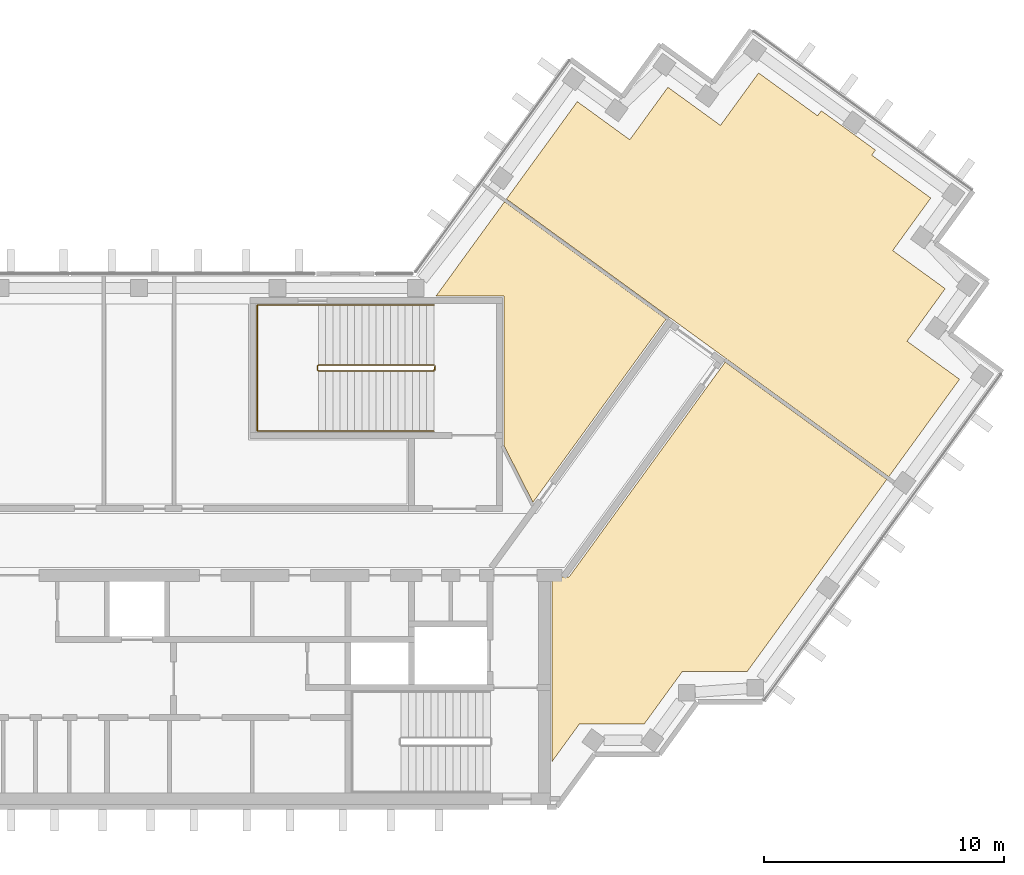
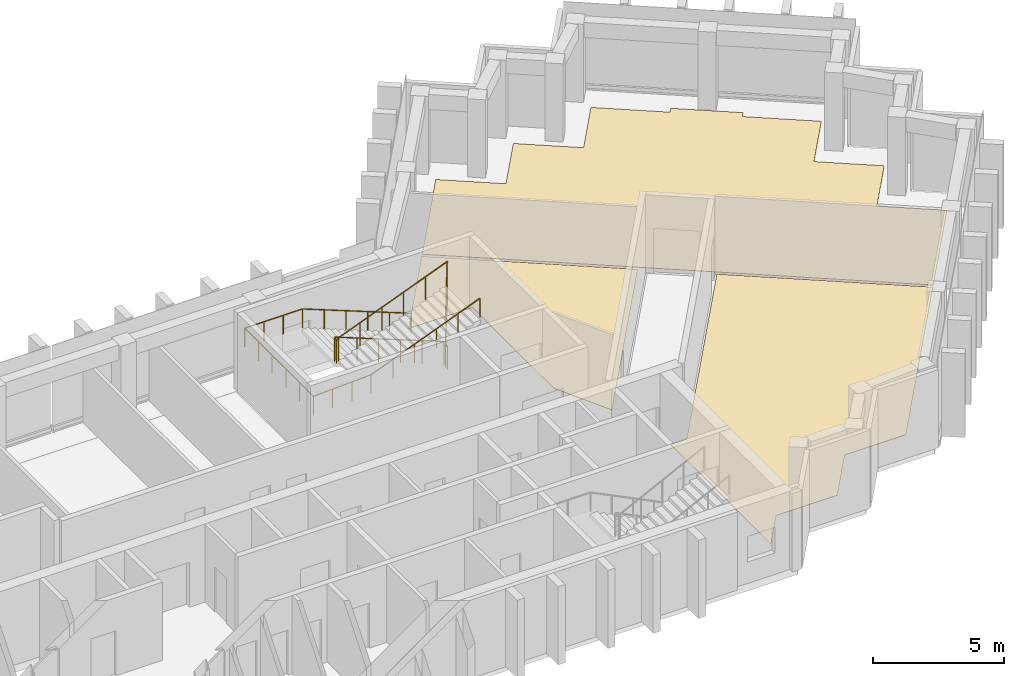
# One storey, part 10 of 10: 3 coverings, 2 railings.
"""IFC4 building model written with IfcOpenShell, lengths in metres."""

from ifc_helpers import new_model, si_unit, direction, frame, origin, origin_2d, place, context, subcontext, project, spatial, polyline, circle, outline, extrude, material, layer, layer_set, type_object, element, save


model = new_model("IFC4")

# Units and contexts
model_context = context("Model", 3, precision=1e-05, world=origin(), true_north=direction((0.0, 1.0)))
body_context = subcontext(model_context, "Body", "Model", "MODEL_VIEW")
ifc_project = project(units=[si_unit("LENGTHUNIT", "METRE"), si_unit("AREAUNIT", "SQUARE_METRE"), si_unit("VOLUMEUNIT", "CUBIC_METRE"), si_unit("PLANEANGLEUNIT", "RADIAN"), si_unit("MASSUNIT", "GRAM", prefix="KILO")], contexts=[model_context])

# Site, building, storey
site_placement = place(None, origin())
site = spatial("IfcSite", under=ifc_project, at=site_placement, CompositionType="ELEMENT")
building_placement = place(site_placement, origin())
building = spatial("IfcBuilding", under=site, at=building_placement, Name="Quipu Civic Tower", CompositionType="ELEMENT")
storey_placement = place(building_placement, frame((0.0, 0.0, 253.0)))
storey = spatial("IfcBuildingStorey", under=building, at=storey_placement, Name="L59", CompositionType="ELEMENT", Elevation=253.0)

# Coverings
ifc_material_1 = material(Name="Carpet tile on raised access floor")
ifc_layer = layer(ifc_material_1, 0.02001953125)
ifc_layer_set = layer_set([ifc_layer], Name="Carpet tile on raised access floor")
covering_type = type_object("IfcCoveringType", Name="Carpet tile floor finish 20", PredefinedType="FLOORING", material=ifc_layer_set)
covering_1_placement = place(storey_placement, origin())
element("IfcCovering", 1, at=covering_1_placement, inside=storey, type_object=covering_type, Name="Carpet tile floor finish 20", PredefinedType="FLOORING", context=body_context, shape_type="SweptSolid", body=[
    extrude(outline(polyline([(15.238037109375, 10.169921875), (18.089111328125, 14.093994140625), (24.81201171875, 9.2109375), (19.27197265625, 1.583984375), (18.070068359375, 3.94189453125), (18.070068359375, 10.1689453125), (15.238037109375, 10.169921875)])), origin(), (0.0, 0.0, 1.0), 0.02001953125),
])
covering_2_placement = place(storey_placement, origin())
element("IfcCovering", 2, at=covering_2_placement, inside=storey, type_object=covering_type, Name="Carpet tile floor finish 20", PredefinedType="FLOORING", context=body_context, shape_type="SweptSolid", body=[
    extrude(outline(polyline([(18.172119140625, 14.20703125), (21.116943359375, 18.260986328125), (23.301025390625, 16.675048828125), (24.887939453125, 18.85791015625), (27.073974609375, 17.27197265625), (28.658935546875, 19.455078125), (31.116943359375, 17.6708984375), (31.27099609375, 17.8798828125), (33.52197265625, 16.2451171875), (33.3701171875, 16.032958984375), (35.826904296875, 14.248046875), (34.240966796875, 12.06396484375), (36.425048828125, 10.47607421875), (34.839111328125, 8.291015625), (37.02197265625, 6.7060546875), (34.077880859375, 2.652099609375), (18.172119140625, 14.20703125)])), origin(), (0.0, 0.0, 1.0), 0.02001953125),
])
covering_3_placement = place(storey_placement, origin())
element("IfcCovering", 3, at=covering_3_placement, inside=storey, type_object=covering_type, Name="Carpet tile floor finish 20", PredefinedType="FLOORING", context=body_context, shape_type="SweptSolid", body=[
    extrude(outline(polyline([(20.070068359375, -9.195068359375), (20.070068359375, -1.52001953125), (20.77490234375, -1.51904296875), (27.27197265625, 7.423095703125), (33.9951171875, 2.5390625), (28.181884765625, -5.4609375), (25.48193359375, -5.4619140625), (23.89501953125, -7.64599609375), (21.196044921875, -7.64599609375), (20.070068359375, -9.195068359375)])), origin(), (0.0, 0.0, 1.0), 0.02001953125),
])

# Railings
ifc_material_2 = material(Name="Stainless steel", Category="steel")
railing_type_1 = type_object("IfcRailingType", Name="Stair guard 1100", PredefinedType="GUARDRAIL", material=ifc_material_2)
railing_1_placement = place(storey_placement, frame((15.14990234375, 7.300048828125, 0.11767578125)))
element("IfcRailing", 4, at=railing_1_placement, inside=storey, type_object=railing_type_1, Name="Stair 4 guard", PredefinedType="GUARDRAIL", context=body_context, shape_type="SweptSolid", body=[
    extrude(circle(Radius=0.02392578125, at=origin_2d()), frame((0.0, 0.0, 1.076171875), z_axis=(-0.930970042603, 0.0, 0.365095576219), x_axis=(0.0, -1.0, 0.0)), (0.0, 0.0, 1.0), 5.15576171875),
    extrude(circle(Radius=0.02392578125, at=origin_2d()), frame((-4.7998046875, 0.0, 2.95849609375), z_axis=(-0.707106781187, -0.707106781187, 0.0), x_axis=(0.707106781187, -0.707106781187, 0.0)), (0.0, 0.0, 1.0), 0.07080078125),
    extrude(circle(Radius=0.02392578125, at=origin_2d()), frame((-4.849853515625, -0.050048828125, 2.95849609375), z_axis=(0.0, -1.0, 0.0), x_axis=(1.0, 0.0, 0.0)), (0.0, 0.0, 1.0), 0.14990234375),
    extrude(circle(Radius=0.02392578125, at=origin_2d()), frame((-4.849853515625, -0.199951171875, 2.95849609375), z_axis=(0.364463019033, -0.364463019033, 0.856932561824), x_axis=(0.707106781187, 0.707106781187, 0.0)), (0.0, 0.0, 1.0), 0.13720703125),
    extrude(circle(Radius=0.02392578125, at=origin_2d()), frame((-4.7998046875, -0.25, 3.076171875), z_axis=(0.930970042603, 0.0, 0.365095576219), x_axis=(0.0, 1.0, 0.0)), (0.0, 0.0, 1.0), 5.15576171875),
    extrude(circle(Radius=0.02392578125, at=origin_2d()), frame((0.0, -0.25, 4.95849609375), z_axis=(0.012495627992, 0.049921557685, -0.998674970829), x_axis=(-0.970072785993, 0.242814311512, 0.0)), (0.0, 0.0, 1.0), 4.00537109375),
    extrude(circle(Radius=0.02392578125, at=origin_2d()), frame((0.050048828125, -0.050048828125, 0.95849609375), z_axis=(0.0, -1.0, 0.0), x_axis=(1.0, 0.0, 0.0)), (0.0, 0.0, 1.0), 0.14990234375),
    extrude(circle(Radius=0.02099609375, at=origin_2d()), origin(), (0.0, 0.0, 1.0), 1.052001953125),
    extrude(circle(Radius=0.02099609375, at=origin_2d()), frame((-0.9599609375, 0.0, 0.37646484375)), (0.0, 0.0, 1.0), 1.052001953125),
    extrude(circle(Radius=0.02099609375, at=origin_2d()), frame((-1.919921875, 0.0, 0.7529296875)), (0.0, 0.0, 1.0), 1.052001953125),
    extrude(circle(Radius=0.02099609375, at=origin_2d()), frame((-2.8798828125, 0.0, 1.12939453125)), (0.0, 0.0, 1.0), 1.052001953125),
    extrude(circle(Radius=0.02099609375, at=origin_2d()), frame((-3.83984375, 0.0, 1.505859375)), (0.0, 0.0, 1.0), 1.052001953125),
    extrude(circle(Radius=0.02099609375, at=origin_2d()), frame((-4.7998046875, 0.0, 1.88232421875)), (0.0, 0.0, 1.0), 1.052001953125),
    extrude(circle(Radius=0.02099609375, at=origin_2d()), frame((-4.849853515625, -0.050048828125, 1.88232421875)), (0.0, 0.0, 1.0), 1.052001953125),
    extrude(circle(Radius=0.02099609375, at=origin_2d()), frame((-4.849853515625, -0.199951171875, 1.88232421875)), (0.0, 0.0, 1.0), 1.052001953125),
    extrude(circle(Radius=0.02099609375, at=origin_2d()), frame((-4.7998046875, -0.25, 2.0)), (0.0, 0.0, 1.0), 1.052001953125),
    extrude(circle(Radius=0.02099609375, at=origin_2d()), frame((-3.83984375, -0.25, 2.37646484375)), (0.0, 0.0, 1.0), 1.052001953125),
    extrude(circle(Radius=0.02099609375, at=origin_2d()), frame((-2.8798828125, -0.25, 2.7529296875)), (0.0, 0.0, 1.0), 1.052001953125),
    extrude(circle(Radius=0.02099609375, at=origin_2d()), frame((-1.919921875, -0.25, 3.12939453125)), (0.0, 0.0, 1.0), 1.052001953125),
    extrude(circle(Radius=0.02099609375, at=origin_2d()), frame((-0.9599609375, -0.25, 3.505859375)), (0.0, 0.0, 1.0), 1.052001953125),
    extrude(circle(Radius=0.02099609375, at=origin_2d()), frame((0.0, -0.25, 3.88232421875)), (0.0, 0.0, 1.0), 1.052001953125),
    extrude(circle(Radius=0.02099609375, at=origin_2d()), frame((0.012451171875, -0.199951171875, 2.88232421875)), (0.0, 0.0, 1.0), 1.052001953125),
    extrude(circle(Radius=0.02099609375, at=origin_2d()), frame((0.02490234375, -0.14990234375, 1.88232421875)), (0.0, 0.0, 1.0), 1.052001953125),
    extrude(circle(Radius=0.02099609375, at=origin_2d()), frame((0.03759765625, -0.10009765625, 0.88232421875)), (0.0, 0.0, 1.0), 1.052001953125),
    extrude(circle(Radius=0.02099609375, at=origin_2d()), frame((0.050048828125, -0.050048828125, -0.11767578125)), (0.0, 0.0, 1.0), 1.052001953125),
    extrude(circle(Radius=0.02099609375, at=origin_2d()), frame((0.050048828125, -0.199951171875, -0.11767578125)), (0.0, 0.0, 1.0), 1.052001953125),
])
ifc_material_3 = material(Name="Stainless steel", Category="steel")
railing_type_2 = type_object("IfcRailingType", Name="Stair handrail", PredefinedType="HANDRAIL", material=ifc_material_3)
railing_2_placement = place(storey_placement, frame((15.14990234375, 9.800048828125, 0.11767578125)))
element("IfcRailing", 5, at=railing_2_placement, inside=storey, type_object=railing_type_2, Name="Stair 4 handrail", PredefinedType="HANDRAIL", context=body_context, shape_type="SweptSolid", body=[
    extrude(circle(Radius=0.02392578125, at=origin_2d()), frame((0.0, 0.0, 0.8759765625), z_axis=(-0.930970042603, 0.0, 0.365095576219), x_axis=(0.0, -1.0, 0.0)), (0.0, 0.0, 1.0), 5.15576171875),
    extrude(circle(Radius=0.02392578125, at=origin_2d()), frame((-4.7998046875, 0.0, 2.75830078125), z_axis=(-1.0, 0.0, 0.0), x_axis=(0.0, -1.0, 0.0)), (0.0, 0.0, 1.0), 2.550048828125),
    extrude(circle(Radius=0.02392578125, at=origin_2d()), frame((-7.349853515625, 0.0, 2.75830078125), z_axis=(0.0, -1.0, 0.0), x_axis=(1.0, 0.0, 0.0)), (0.0, 0.0, 1.0), 5.25),
    extrude(circle(Radius=0.02392578125, at=origin_2d()), frame((-7.349853515625, -5.25, 2.75830078125), z_axis=(0.998936948642, 0.0, 0.04609742549), x_axis=(0.0, 1.0, 0.0)), (0.0, 0.0, 1.0), 2.552734375),
    extrude(circle(Radius=0.02392578125, at=origin_2d()), frame((-4.7998046875, -5.25, 2.8759765625), z_axis=(0.930970042603, 0.0, 0.365095576219), x_axis=(0.0, 1.0, 0.0)), (0.0, 0.0, 1.0), 5.15576171875),
    extrude(circle(Radius=0.02099609375, at=origin_2d()), origin(), (0.0, 0.0, 1.0), 0.851806640625),
    extrude(circle(Radius=0.02099609375, at=origin_2d()), frame((-0.9599609375, 0.0, 0.37646484375)), (0.0, 0.0, 1.0), 0.851806640625),
    extrude(circle(Radius=0.02099609375, at=origin_2d()), frame((-1.919921875, 0.0, 0.7529296875)), (0.0, 0.0, 1.0), 0.851806640625),
    extrude(circle(Radius=0.02099609375, at=origin_2d()), frame((-2.8798828125, 0.0, 1.12939453125)), (0.0, 0.0, 1.0), 0.851806640625),
    extrude(circle(Radius=0.02099609375, at=origin_2d()), frame((-3.83984375, 0.0, 1.505859375)), (0.0, 0.0, 1.0), 0.851806640625),
    extrude(circle(Radius=0.02099609375, at=origin_2d()), frame((-4.7998046875, 0.0, 1.88232421875)), (0.0, 0.0, 1.0), 0.851806640625),
    extrude(circle(Radius=0.02099609375, at=origin_2d()), frame((-5.64990234375, 0.0, 1.88232421875)), (0.0, 0.0, 1.0), 0.851806640625),
    extrude(circle(Radius=0.02099609375, at=origin_2d()), frame((-6.499755859375, 0.0, 1.88232421875)), (0.0, 0.0, 1.0), 0.851806640625),
    extrude(circle(Radius=0.02099609375, at=origin_2d()), frame((-7.349853515625, 0.0, 1.88232421875)), (0.0, 0.0, 1.0), 0.851806640625),
    extrude(circle(Radius=0.02099609375, at=origin_2d()), frame((-7.349853515625, -1.050048828125, 1.88232421875)), (0.0, 0.0, 1.0), 0.851806640625),
    extrude(circle(Radius=0.02099609375, at=origin_2d()), frame((-7.349853515625, -2.10009765625, 1.88232421875)), (0.0, 0.0, 1.0), 0.851806640625),
    extrude(circle(Radius=0.02099609375, at=origin_2d()), frame((-7.349853515625, -3.14990234375, 1.88232421875)), (0.0, 0.0, 1.0), 0.851806640625),
    extrude(circle(Radius=0.02099609375, at=origin_2d()), frame((-7.349853515625, -4.199951171875, 1.88232421875)), (0.0, 0.0, 1.0), 0.851806640625),
    extrude(circle(Radius=0.02099609375, at=origin_2d()), frame((-7.349853515625, -5.25, 1.88232421875)), (0.0, 0.0, 1.0), 0.851806640625),
    extrude(circle(Radius=0.02099609375, at=origin_2d()), frame((-6.499755859375, -5.25, 1.921630859375)), (0.0, 0.0, 1.0), 0.851806640625),
    extrude(circle(Radius=0.02099609375, at=origin_2d()), frame((-5.64990234375, -5.25, 1.960693359375)), (0.0, 0.0, 1.0), 0.851806640625),
    extrude(circle(Radius=0.02099609375, at=origin_2d()), frame((-4.7998046875, -5.25, 2.0)), (0.0, 0.0, 1.0), 0.851806640625),
    extrude(circle(Radius=0.02099609375, at=origin_2d()), frame((-3.83984375, -5.25, 2.37646484375)), (0.0, 0.0, 1.0), 0.851806640625),
    extrude(circle(Radius=0.02099609375, at=origin_2d()), frame((-2.8798828125, -5.25, 2.7529296875)), (0.0, 0.0, 1.0), 0.851806640625),
    extrude(circle(Radius=0.02099609375, at=origin_2d()), frame((-1.919921875, -5.25, 3.12939453125)), (0.0, 0.0, 1.0), 0.851806640625),
    extrude(circle(Radius=0.02099609375, at=origin_2d()), frame((-0.9599609375, -5.25, 3.505859375)), (0.0, 0.0, 1.0), 0.851806640625),
    extrude(circle(Radius=0.02099609375, at=origin_2d()), frame((0.0, -5.25, 3.88232421875)), (0.0, 0.0, 1.0), 0.851806640625),
])

save(model, "model.ifc")
